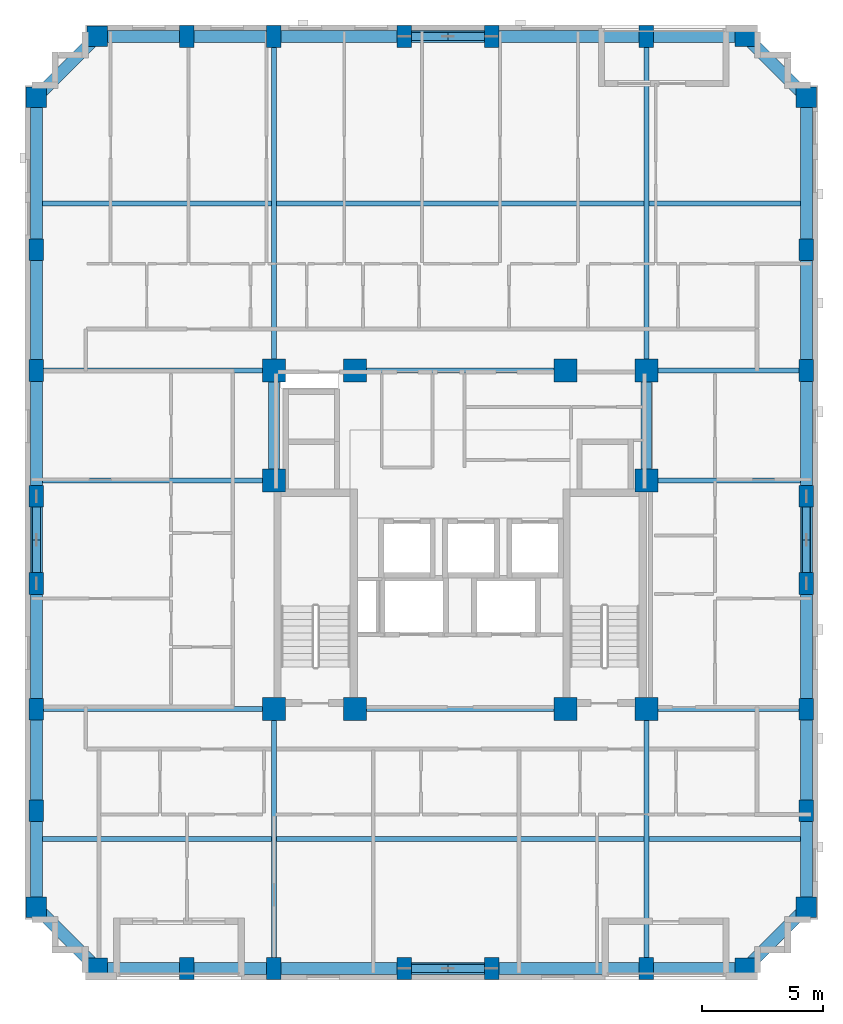
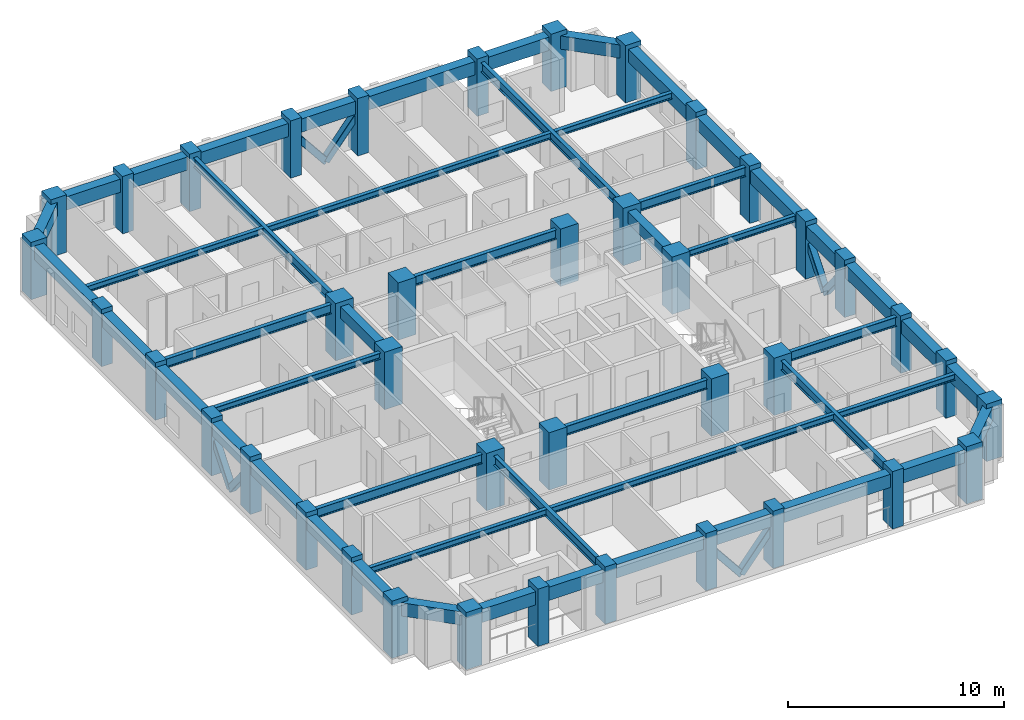
# One storey, part 1 of 11: 50 beams, 40 columns, 8 members.
"""IFC4 building model written with IfcOpenShell, lengths in metres."""

import ifcopenshell
import ifcopenshell.guid

model = None  # the IFC model being written
_history = None  # IfcOwnerHistory: only IFC2X3 demands one
_inside = {}  # id of a spatial element -> (the spatial element, [elements in it])
_under = {}  # id of a project, library or spatial element -> (it, [spatial elements below it])
_declared = {}  # id of a project -> (the project, [libraries it declares])
_typed = {}  # id of a type object -> (the type object, [elements of that type])
_made_of = {}  # id of a material, layer set ... -> (it, [elements and type objects made of it])


def new_model(schema):
    """Start an empty IFC model of exactly this schema.

    Asked for "IFC4X3", IfcOpenShell would pick the latest addendum, in which some entities
    have other attributes; the version numbers below select the first issue.
    IFC2X3 requires an IfcOwnerHistory on every rooted entity: one is made here for all.
    """
    global model, _history
    if schema == "IFC4X3":
        model = ifcopenshell.file(schema_version=(4, 3, 0, 0))
    else:
        model = ifcopenshell.file(schema=schema)
    _inside.clear()
    _under.clear()
    _declared.clear()
    _typed.clear()
    _made_of.clear()
    _history = None
    if model.schema == "IFC2X3":
        org = make("IfcOrganization", Name="unknown")
        user = make(
            "IfcPersonAndOrganization",
            ThePerson=make("IfcPerson", FamilyName="unknown"),
            TheOrganization=org,
        )
        app = make(
            "IfcApplication",
            ApplicationDeveloper=org,
            Version="unknown",
            ApplicationFullName="unknown",
            ApplicationIdentifier="unknown",
        )
        _history = make(
            "IfcOwnerHistory",
            OwningUser=user,
            OwningApplication=app,
            ChangeAction="ADDED",
            CreationDate=0,
        )
    return model


def make(cls, **values):
    """One entity of the class cls with the attributes given. An attribute that is None is left unset."""
    return model.create_entity(
        cls, **{name: value for name, value in values.items() if value is not None}
    )


def rooted(cls, **values):
    """An entity with a GlobalId (a new one), such as an element, a storey or a relation."""
    return make(cls, GlobalId=ifcopenshell.guid.new(), OwnerHistory=_history, **values)


def si_unit(unit_type, name, prefix=None):
    """IfcSIUnit, for example si_unit("LENGTHUNIT", "METRE", prefix="MILLI")."""
    return make("IfcSIUnit", UnitType=unit_type, Prefix=prefix, Name=name)


def derived_unit(unit_type, elements):
    """IfcDerivedUnit: a product of units, each with its exponent."""
    return make(
        "IfcDerivedUnit",
        Elements=[
            make("IfcDerivedUnitElement", Unit=unit, Exponent=power)
            for unit, power in elements
        ],
        UnitType=unit_type,
    )


def assignment(units):
    """IfcUnitAssignment: the units of a project."""
    return None if units is None else make("IfcUnitAssignment", Units=units)


def point(xyz):
    """IfcCartesianPoint."""
    return None if xyz is None else make("IfcCartesianPoint", Coordinates=xyz)


def direction(xyz):
    """IfcDirection."""
    return None if xyz is None else make("IfcDirection", DirectionRatios=xyz)


def frame(location, z_axis=None, x_axis=None):
    """IfcAxis2Placement3D, a coordinate frame: its origin and axes. An axis left out is left unset."""
    return make(
        "IfcAxis2Placement3D",
        Location=point(location),
        Axis=direction(z_axis),
        RefDirection=direction(x_axis),
    )


def frame_2d(location, x_axis=None):
    """IfcAxis2Placement2D, a coordinate frame in the plane: its origin and x axis."""
    return make(
        "IfcAxis2Placement2D", Location=point(location), RefDirection=direction(x_axis)
    )


def origin():
    """The frame at (0, 0, 0) with its axes left unset."""
    return frame((0.0, 0.0, 0.0))


def origin_2d():
    """The frame at (0, 0) in the plane with its x axis left unset."""
    return frame_2d((0.0, 0.0))


def place(relative_to, where):
    """IfcLocalPlacement: puts the frame where relative to a parent placement (None: the world)."""
    return make(
        "IfcLocalPlacement", PlacementRelTo=relative_to, RelativePlacement=where
    )


def context(
    kind, dimensions, precision=None, world=None, true_north=None, identifier=None
):
    """IfcGeometricRepresentationContext, for example the 3D "Model" context."""
    return make(
        "IfcGeometricRepresentationContext",
        ContextIdentifier=identifier,
        ContextType=kind,
        CoordinateSpaceDimension=dimensions,
        Precision=precision,
        WorldCoordinateSystem=world,
        TrueNorth=true_north,
    )


def subcontext(parent, identifier, kind, view, scale=None):
    """IfcGeometricRepresentationSubContext, for example "Body" below "Model"."""
    return make(
        "IfcGeometricRepresentationSubContext",
        ContextIdentifier=identifier,
        ContextType=kind,
        ParentContext=parent,
        TargetScale=scale,
        TargetView=view,
    )


def project(units=None, contexts=None):
    """IfcProject with its units and contexts."""
    return rooted(
        "IfcProject",
        Name="project",
        RepresentationContexts=contexts,
        UnitsInContext=assignment(units),
    )


def spatial(cls, under=None, at=None, **own):
    """A site, building, storey or space (cls), placed at a placement, below another one or the project."""
    s = rooted(cls, ObjectPlacement=at, **own)
    if under is not None:
        _under.setdefault(under.id(), (under, []))[1].append(s)
    return s


def profile(cls, at=None, kind="AREA", **sizes):
    """A parametric profile (cls). Its sizes go by their IFC names, for example OverallWidth=200.0."""
    return make(cls, ProfileType=kind, Position=at, **sizes)


def rectangle(**sizes):
    """IfcRectangleProfileDef."""
    return profile("IfcRectangleProfileDef", **sizes)


def hollow_rectangle(**sizes):
    """IfcRectangleHollowProfileDef."""
    return profile("IfcRectangleHollowProfileDef", **sizes)


def i_section(**sizes):
    """IfcIShapeProfileDef."""
    return profile("IfcIShapeProfileDef", **sizes)


def extrude(swept, where, along, depth):
    """IfcExtrudedAreaSolid: the profile swept, set in the frame where, extruded along a direction by depth."""
    return make(
        "IfcExtrudedAreaSolid",
        SweptArea=swept,
        Position=where,
        ExtrudedDirection=direction(along),
        Depth=depth,
    )


def shape(context_of_items, identifier, shape_type, items):
    """IfcShapeRepresentation: the items that make up one representation, for example the "Body"."""
    return make(
        "IfcShapeRepresentation",
        ContextOfItems=context_of_items,
        RepresentationIdentifier=identifier,
        RepresentationType=shape_type,
        Items=items,
    )


def material(Name=None, Category=None):
    """IfcMaterial."""
    return make("IfcMaterial", Name=Name, Category=Category)


def material_profile(
    of_material, cross_section, Name=None, Category=None, Priority=None
):
    """IfcMaterialProfile: a cross section and its material."""
    return make(
        "IfcMaterialProfile",
        Name=Name,
        Material=of_material,
        Profile=cross_section,
        Priority=Priority,
        Category=Category,
    )


def profile_set(profiles, Name=None, composite=None):
    """IfcMaterialProfileSet."""
    return make(
        "IfcMaterialProfileSet",
        Name=Name,
        MaterialProfiles=profiles,
        CompositeProfile=composite,
    )


def made_of(thing, what):
    """Note that an element or type object is made of a material, layer set ...; save() writes the relation."""
    if what is not None:
        _made_of.setdefault(what.id(), (what, []))[1].append(thing)
    return thing


def type_object(cls, material=None, **own):
    """A type object (cls), such as IfcWallType, which elements share."""
    return made_of(rooted(cls, **own), material)


def element(
    cls,
    number,
    at=None,
    inside=None,
    cuts=None,
    type_object=None,
    material=None,
    context=None,
    identifier="Body",
    shape_type=None,
    held_by="IfcProductDefinitionShape",
    body=None,
    shapes=None,
    **own,
):
    """One element of the class cls, such as IfcWall. Its Tag is "e" and its number.

    at: its placement. inside: the storey or other place that contains it. cuts: it is an
    opening in that element (IfcRelVoidsElement). A single representation is given by context,
    identifier, shape_type and body (its items); several are given by shapes. held_by: the class
    of the entity that holds the representations. save() writes the other relations.
    """
    e = rooted(cls, Tag="e%d" % number, ObjectPlacement=at, **own)
    if body is not None:
        shapes = [shape(context, identifier, shape_type, body)]
    if shapes is not None:
        e.Representation = make(held_by, Representations=shapes)
    if inside is not None:
        _inside.setdefault(inside.id(), (inside, []))[1].append(e)
    if cuts is not None:
        rooted(
            "IfcRelVoidsElement", RelatingBuildingElement=cuts, RelatedOpeningElement=e
        )
    if type_object is not None:
        _typed.setdefault(type_object.id(), (type_object, []))[1].append(e)
    return made_of(e, material)


def aggregate(whole, parts):
    """IfcRelAggregates: a whole, such as a stair, and the parts it consists of."""
    return rooted("IfcRelAggregates", RelatingObject=whole, RelatedObjects=parts)


def save(model, path):
    """Write the relations noted so far, then the file.

    IfcRelAggregates (storeys below a building ...), IfcRelContainedInSpatialStructure (elements
    in a storey), IfcRelDefinesByType, IfcRelAssociatesMaterial and IfcRelDeclares: one each for
    every whole, place, type object, material and project.
    """
    for whole, parts in _under.values():
        aggregate(whole, parts)
    for where, things in _inside.values():
        rooted(
            "IfcRelContainedInSpatialStructure",
            RelatedElements=things,
            RelatingStructure=where,
        )
    for kind, things in _typed.values():
        rooted("IfcRelDefinesByType", RelatedObjects=things, RelatingType=kind)
    for what, things in _made_of.values():
        rooted("IfcRelAssociatesMaterial", RelatedObjects=things, RelatingMaterial=what)
    for by, libraries in _declared.values():
        rooted("IfcRelDeclares", RelatingContext=by, RelatedDefinitions=libraries)
    model.write(path)


model = new_model("IFC4")

# Units and contexts
model_context = context("Model", 3, precision=1e-05, world=origin(), true_north=direction((0.0, 1.0)))
body_context = subcontext(model_context, "Body", "Model", "MODEL_VIEW")
ifc_project = project(units=[si_unit("LENGTHUNIT", "METRE"), si_unit("AREAUNIT", "SQUARE_METRE"), si_unit("VOLUMEUNIT", "CUBIC_METRE"), si_unit("PLANEANGLEUNIT", "RADIAN"), si_unit("MASSUNIT", "GRAM", prefix="KILO"), derived_unit("THERMALTRANSMITTANCEUNIT", [(si_unit("MASSUNIT", "GRAM", prefix="KILO"), 1), (si_unit("TIMEUNIT", "SECOND"), -3), (si_unit("THERMODYNAMICTEMPERATUREUNIT", "KELVIN"), -1)])], contexts=[model_context])

# Site, building, storey
site_placement = place(None, origin())
site = spatial("IfcSite", under=ifc_project, at=site_placement, CompositionType="ELEMENT")
building_placement = place(site_placement, origin())
building = spatial("IfcBuilding", under=site, at=building_placement, Name="Korrvale Station Residences", CompositionType="ELEMENT")
storey_placement = place(building_placement, frame((0.0, 0.0, 156.89990234375)))
storey = spatial("IfcBuildingStorey", under=building, at=storey_placement, Name="L45", CompositionType="ELEMENT", Elevation=156.89990234375)

# Columns
ifc_material_1 = material(Name="Concrete C60/75", Category="concrete")
ifc_material_profile_1 = material_profile(ifc_material_1, rectangle(XDim=0.60009765625, YDim=0.89990234375, at=origin_2d()), Name="RC600x900")
ifc_profile_set_1 = profile_set([ifc_material_profile_1], Name="Concrete C60/75")
column_type_1 = type_object("IfcColumnType", Name="COL-C-RC600x900-C6075", PredefinedType="COLUMN", material=ifc_profile_set_1)
for number, where, z_axis, x_axis, name in (
    (1, (14.199951171875, 4.280029296875, 0.0), (0.0, 0.0, 1.0), (1.0, 0.0, 0.0), "L45 Bundled-Tube South Column 02"),
    (2, (17.800048828125, 4.280029296875, 0.0), (0.0, 0.0, 1.0), (1.0, 0.0, 0.0), "L45 Bundled-Tube South Column 03"),
    (3, (23.199951171875, 4.280029296875, 0.0), (0.0, 0.0, 1.0), (1.0, 0.0, 0.0), "L45 Bundled-Tube South Column 04"),
    (4, (26.800048828125, 4.280029296875, 0.0), (0.0, 0.0, 1.0), (1.0, 0.0, 0.0), "L45 Bundled-Tube South Column 05"),
    (5, (33.199951171875, 4.280029296875, 0.0), (0.0, 0.0, 1.0), (1.0, 0.0, 0.0), "L45 Bundled-Tube South Column 06"),
    (6, (14.199951171875, 42.820068359375, 0.0), (0.0, 0.0, 1.0), (1.0, 0.0, 0.0), "L45 Bundled-Tube North Column 09"),
    (7, (17.800048828125, 42.820068359375, 0.0), (0.0, 0.0, 1.0), (1.0, 0.0, 0.0), "L45 Bundled-Tube North Column 10"),
    (8, (23.199951171875, 42.820068359375, 0.0), (0.0, 0.0, 1.0), (1.0, 0.0, 0.0), "L45 Bundled-Tube North Column 11"),
    (9, (26.800048828125, 42.820068359375, 0.0), (0.0, 0.0, 1.0), (1.0, 0.0, 0.0), "L45 Bundled-Tube North Column 12"),
    (10, (33.199951171875, 42.820068359375, 0.0), (0.0, 0.0, 1.0), (1.0, 0.0, 0.0), "L45 Bundled-Tube North Column 13"),
    (11, (7.97998046875, 10.800048828125, 0.0), (0.0, 0.0, 1.0), (1.0, 0.0, 0.0), "L45 Bundled-Tube West Column 16"),
    (12, (7.97998046875, 15.0, 0.0), (0.0, 0.0, 1.0), (1.0, 0.0, 0.0), "L45 Bundled-Tube West Column 17"),
    (13, (7.97998046875, 20.199951171875, 0.0), (0.0, 0.0, 1.0), (1.0, 0.0, 0.0), "L45 Bundled-Tube West Column 18"),
    (14, (7.97998046875, 23.800048828125, 0.0), (0.0, 0.0, 1.0), (1.0, 0.0, 0.0), "L45 Bundled-Tube West Column 19"),
    (15, (7.97998046875, 29.0, 0.0), (0.0, 0.0, 1.0), (1.0, 0.0, 0.0), "L45 Bundled-Tube West Column 20"),
    (16, (7.97998046875, 34.0, 0.0), (0.0, 0.0, 1.0), (1.0, 0.0, 0.0), "L45 Bundled-Tube West Column 21"),
    (17, (39.820068359375, 10.800048828125, 0.0), (0.0, 0.0, 1.0), (1.0, 0.0, 0.0), "L45 Bundled-Tube East Column 24"),
    (18, (39.820068359375, 15.0, 0.0), (0.0, 0.0, 1.0), (1.0, 0.0, 0.0), "L45 Bundled-Tube East Column 25"),
    (19, (39.820068359375, 20.199951171875, 0.0), (0.0, 0.0, 1.0), (1.0, 0.0, 0.0), "L45 Bundled-Tube East Column 26"),
    (20, (39.820068359375, 23.800048828125, 0.0), (0.0, 0.0, 1.0), (1.0, 0.0, 0.0), "L45 Bundled-Tube East Column 27"),
    (21, (39.820068359375, 29.0, 0.0), (0.0, 0.0, 1.0), (1.0, 0.0, 0.0), "L45 Bundled-Tube East Column 28"),
    (22, (39.820068359375, 34.0, 0.0), (0.0, 0.0, 1.0), (1.0, 0.0, 0.0), "L45 Bundled-Tube East Column 29"),
):
    element("IfcColumn", number, at=place(storey_placement, frame(where, z_axis=z_axis, x_axis=x_axis)), inside=storey, type_object=column_type_1, Name=name, PredefinedType="COLUMN", context=body_context, shape_type="SweptSolid", body=[
        extrude(rectangle(XDim=0.60009765625, YDim=0.89990234375, at=origin_2d()), origin(), (0.0, 0.0, 1.0), 3.25),
    ])
ifc_material_profile_2 = material_profile(ifc_material_1, rectangle(XDim=0.85009765625, YDim=0.85009765625, at=origin_2d()), Name="RC850x850")
ifc_profile_set_2 = profile_set([ifc_material_profile_2], Name="Concrete C60/75")
column_type_2 = type_object("IfcColumnType", Name="COL-C-RC850x850-C6075", PredefinedType="COLUMN", material=ifc_profile_set_2)
for number, where, z_axis, x_axis, name in (
    (23, (10.5, 4.280029296875, 0.0), (0.0, 0.0, 1.0), (1.0, 0.0, 0.0), "L45 Bundled-Tube South Column 01"),
    (24, (37.300048828125, 4.280029296875, 0.0), (0.0, 0.0, 1.0), (1.0, 0.0, 0.0), "L45 Bundled-Tube South Column 07"),
    (25, (10.5, 42.820068359375, 0.0), (0.0, 0.0, 1.0), (1.0, 0.0, 0.0), "L45 Bundled-Tube North Column 08"),
    (26, (37.300048828125, 42.820068359375, 0.0), (0.0, 0.0, 1.0), (1.0, 0.0, 0.0), "L45 Bundled-Tube North Column 14"),
    (27, (7.97998046875, 6.800048828125, 0.0), (0.0, 0.0, 1.0), (1.0, 0.0, 0.0), "L45 Bundled-Tube West Column 15"),
    (28, (7.97998046875, 40.300048828125, 0.0), (0.0, 0.0, 1.0), (1.0, 0.0, 0.0), "L45 Bundled-Tube West Column 22"),
    (29, (39.820068359375, 6.800048828125, 0.0), (0.0, 0.0, 1.0), (1.0, 0.0, 0.0), "L45 Bundled-Tube East Column 23"),
    (30, (39.820068359375, 40.300048828125, 0.0), (0.0, 0.0, 1.0), (1.0, 0.0, 0.0), "L45 Bundled-Tube East Column 30"),
):
    element("IfcColumn", number, at=place(storey_placement, frame(where, z_axis=z_axis, x_axis=x_axis)), inside=storey, type_object=column_type_2, Name=name, PredefinedType="COLUMN", context=body_context, shape_type="SweptSolid", body=[
        extrude(rectangle(XDim=0.85009765625, YDim=0.85009765625, at=origin_2d()), origin(), (0.0, 0.0, 1.0), 3.25),
    ])
ifc_material_profile_3 = material_profile(ifc_material_1, rectangle(XDim=0.949951171875, YDim=0.949951171875, at=origin_2d()), Name="RC950x950")
ifc_profile_set_3 = profile_set([ifc_material_profile_3], Name="Concrete C60/75")
column_type_3 = type_object("IfcColumnType", Name="COL-C-RC950x950-C6075", PredefinedType="COLUMN", material=ifc_profile_set_3)
for number, where, z_axis, x_axis, name in (
    (31, (17.800048828125, 15.0, 0.0), (0.0, 0.0, 1.0), (1.0, 0.0, 0.0), "L45 Core Column 01"),
    (32, (21.14990234375, 15.0, 0.0), (0.0, 0.0, 1.0), (1.0, 0.0, 0.0), "L45 Core Column 02"),
    (33, (29.85009765625, 15.0, 0.0), (0.0, 0.0, 1.0), (1.0, 0.0, 0.0), "L45 Core Column 03"),
    (34, (33.199951171875, 15.0, 0.0), (0.0, 0.0, 1.0), (1.0, 0.0, 0.0), "L45 Core Column 04"),
    (35, (17.800048828125, 29.0, 0.0), (0.0, 0.0, 1.0), (1.0, 0.0, 0.0), "L45 Core Column 05"),
    (36, (21.14990234375, 29.0, 0.0), (0.0, 0.0, 1.0), (1.0, 0.0, 0.0), "L45 Core Column 06"),
    (37, (29.85009765625, 29.0, 0.0), (0.0, 0.0, 1.0), (1.0, 0.0, 0.0), "L45 Core Column 07"),
    (38, (33.199951171875, 29.0, 0.0), (0.0, 0.0, 1.0), (1.0, 0.0, 0.0), "L45 Core Column 08"),
    (39, (17.800048828125, 24.449951171875, 0.0), (0.0, 0.0, 1.0), (1.0, 0.0, 0.0), "L45 Core Column 09"),
    (40, (33.199951171875, 24.449951171875, 0.0), (0.0, 0.0, 1.0), (1.0, 0.0, 0.0), "L45 Core Column 10"),
):
    element("IfcColumn", number, at=place(storey_placement, frame(where, z_axis=z_axis, x_axis=x_axis)), inside=storey, type_object=column_type_3, Name=name, PredefinedType="COLUMN", context=body_context, shape_type="SweptSolid", body=[
        extrude(rectangle(XDim=0.949951171875, YDim=0.949951171875, at=origin_2d()), origin(), (0.0, 0.0, 1.0), 3.25),
    ])

# Beams
ifc_material_2 = material(Name="Steel S355", Category="steel")
ifc_material_profile_4 = material_profile(ifc_material_2, i_section(OverallWidth=0.208984375, OverallDepth=0.532958984375, WebThickness=0.01025390625, FlangeThickness=0.015625, FilletRadius=0.01806640625, at=origin_2d()), Name="W530x92")
ifc_profile_set_4 = profile_set([ifc_material_profile_4], Name="Steel S355")
beam_type_1 = type_object("IfcBeamType", Name="BM-BM-W530x92-S355", PredefinedType="BEAM", material=ifc_profile_set_4)
for number, where, z_axis, x_axis, name in (
    (41, (17.800048828125, 4.280029296875, 2.7236328125), (0.0, 1.0, 0.0), (-1.0, 0.0, 0.0), "L45 Bundled-Tube Web Girder 01"),
    (42, (33.199951171875, 4.280029296875, 2.7236328125), (0.0, 1.0, 0.0), (-1.0, 0.0, 0.0), "L45 Bundled-Tube Web Girder 02"),
):
    element("IfcBeam", number, at=place(storey_placement, frame(where, z_axis=z_axis, x_axis=x_axis)), inside=storey, type_object=beam_type_1, Name=name, PredefinedType="BEAM", context=body_context, shape_type="SweptSolid", body=[
        extrude(i_section(OverallWidth=0.208984375, OverallDepth=0.532958984375, WebThickness=0.01025390625, FlangeThickness=0.015625, FilletRadius=0.01806640625, at=origin_2d()), origin(), (0.0, 0.0, 1.0), 10.719970703125),
    ])
for number, where, z_axis, x_axis, name in (
    (43, (17.800048828125, 29.0, 2.7236328125), (0.0, 1.0, 0.0), (-1.0, 0.0, 0.0), "L45 Bundled-Tube Web Girder 03"),
    (44, (33.199951171875, 29.0, 2.7236328125), (0.0, 1.0, 0.0), (-1.0, 0.0, 0.0), "L45 Bundled-Tube Web Girder 04"),
):
    element("IfcBeam", number, at=place(storey_placement, frame(where, z_axis=z_axis, x_axis=x_axis)), inside=storey, type_object=beam_type_1, Name=name, PredefinedType="BEAM", context=body_context, shape_type="SweptSolid", body=[
        extrude(i_section(OverallWidth=0.208984375, OverallDepth=0.532958984375, WebThickness=0.01025390625, FlangeThickness=0.015625, FilletRadius=0.01806640625, at=origin_2d()), origin(), (0.0, 0.0, 1.0), 13.820068359375),
    ])
beam_1_placement = place(storey_placement, frame((7.97998046875, 15.0, 2.7236328125), z_axis=(1.0, 0.0, 0.0), x_axis=(0.0, 1.0, 0.0)))
element("IfcBeam", 45, at=beam_1_placement, inside=storey, type_object=beam_type_1, Name="L45 Bundled-Tube Web Girder 05", PredefinedType="BEAM", context=body_context, shape_type="SweptSolid", body=[
    extrude(i_section(OverallWidth=0.208984375, OverallDepth=0.532958984375, WebThickness=0.01025390625, FlangeThickness=0.015625, FilletRadius=0.01806640625, at=origin_2d()), origin(), (0.0, 0.0, 1.0), 9.820068359375),
])
beam_2_placement = place(storey_placement, frame((33.199951171875, 15.0, 2.7236328125), z_axis=(1.0, 0.0, 0.0), x_axis=(0.0, 1.0, 0.0)))
element("IfcBeam", 46, at=beam_2_placement, inside=storey, type_object=beam_type_1, Name="L45 Bundled-Tube Web Girder 06", PredefinedType="BEAM", context=body_context, shape_type="SweptSolid", body=[
    extrude(i_section(OverallWidth=0.208984375, OverallDepth=0.532958984375, WebThickness=0.01025390625, FlangeThickness=0.015625, FilletRadius=0.01806640625, at=origin_2d()), origin(), (0.0, 0.0, 1.0), 6.6201171875),
])
beam_3_placement = place(storey_placement, frame((7.97998046875, 29.0, 2.7236328125), z_axis=(1.0, 0.0, 0.0), x_axis=(0.0, 1.0, 0.0)))
element("IfcBeam", 47, at=beam_3_placement, inside=storey, type_object=beam_type_1, Name="L45 Bundled-Tube Web Girder 07", PredefinedType="BEAM", context=body_context, shape_type="SweptSolid", body=[
    extrude(i_section(OverallWidth=0.208984375, OverallDepth=0.532958984375, WebThickness=0.01025390625, FlangeThickness=0.015625, FilletRadius=0.01806640625, at=origin_2d()), origin(), (0.0, 0.0, 1.0), 9.820068359375),
])
beam_4_placement = place(storey_placement, frame((33.199951171875, 29.0, 2.7236328125), z_axis=(1.0, 0.0, 0.0), x_axis=(0.0, 1.0, 0.0)))
element("IfcBeam", 48, at=beam_4_placement, inside=storey, type_object=beam_type_1, Name="L45 Bundled-Tube Web Girder 08", PredefinedType="BEAM", context=body_context, shape_type="SweptSolid", body=[
    extrude(i_section(OverallWidth=0.208984375, OverallDepth=0.532958984375, WebThickness=0.01025390625, FlangeThickness=0.015625, FilletRadius=0.01806640625, at=origin_2d()), origin(), (0.0, 0.0, 1.0), 6.6201171875),
])
for number, where, z_axis, x_axis, name in (
    (49, (21.14990234375, 15.0, 2.7236328125), (1.0, 0.0, 0.0), (0.0, 1.0, 0.0), "L45 Bundled-Tube Web Girder 09"),
    (50, (21.14990234375, 29.0, 2.7236328125), (1.0, 0.0, 0.0), (0.0, 1.0, 0.0), "L45 Bundled-Tube Web Girder 10"),
):
    element("IfcBeam", number, at=place(storey_placement, frame(where, z_axis=z_axis, x_axis=x_axis)), inside=storey, type_object=beam_type_1, Name=name, PredefinedType="BEAM", context=body_context, shape_type="SweptSolid", body=[
        extrude(i_section(OverallWidth=0.208984375, OverallDepth=0.532958984375, WebThickness=0.01025390625, FlangeThickness=0.015625, FilletRadius=0.01806640625, at=origin_2d()), origin(), (0.0, 0.0, 1.0), 8.7001953125),
    ])
ifc_material_profile_5 = material_profile(ifc_material_2, i_section(OverallWidth=0.205078125, OverallDepth=0.35400390625, WebThickness=0.009521484375, FlangeThickness=0.016845703125, FilletRadius=0.014892578125, at=origin_2d()), Name="W360x79")
ifc_profile_set_5 = profile_set([ifc_material_profile_5], Name="Steel S355")
beam_type_2 = type_object("IfcBeamType", Name="BM-JST-W360x79-S355", PredefinedType="JOIST", material=ifc_profile_set_5)
beam_5_placement = place(storey_placement, frame((8.22998046875, 9.639892578125, 2.81298828125), z_axis=(1.0, 0.0, 0.0), x_axis=(0.0, 1.0, 0.0)))
element("IfcBeam", 51, at=beam_5_placement, inside=storey, type_object=beam_type_2, Name="L45 Floor Framing Joist 01", PredefinedType="JOIST", context=body_context, shape_type="SweptSolid", body=[
    extrude(i_section(OverallWidth=0.205078125, OverallDepth=0.35400390625, WebThickness=0.009521484375, FlangeThickness=0.016845703125, FilletRadius=0.014892578125, at=origin_2d()), origin(), (0.0, 0.0, 1.0), 9.465576171875),
])
beam_6_placement = place(storey_placement, frame((17.904541015625, 9.639892578125, 2.81298828125), z_axis=(1.0, 0.0, 0.0), x_axis=(0.0, 1.0, 0.0)))
element("IfcBeam", 52, at=beam_6_placement, inside=storey, type_object=beam_type_2, Name="L45 Floor Framing Joist 02", PredefinedType="JOIST", context=body_context, shape_type="SweptSolid", body=[
    extrude(i_section(OverallWidth=0.205078125, OverallDepth=0.35400390625, WebThickness=0.009521484375, FlangeThickness=0.016845703125, FilletRadius=0.014892578125, at=origin_2d()), origin(), (0.0, 0.0, 1.0), 15.19091796875),
])
beam_7_placement = place(storey_placement, frame((33.304443359375, 9.639892578125, 2.81298828125), z_axis=(1.0, 0.0, 0.0), x_axis=(0.0, 1.0, 0.0)))
element("IfcBeam", 53, at=beam_7_placement, inside=storey, type_object=beam_type_2, Name="L45 Floor Framing Joist 03", PredefinedType="JOIST", context=body_context, shape_type="SweptSolid", body=[
    extrude(i_section(OverallWidth=0.205078125, OverallDepth=0.35400390625, WebThickness=0.009521484375, FlangeThickness=0.016845703125, FilletRadius=0.014892578125, at=origin_2d()), origin(), (0.0, 0.0, 1.0), 6.265625),
])
beam_8_placement = place(storey_placement, frame((8.22998046875, 35.909912109375, 2.81298828125), z_axis=(1.0, 0.0, 0.0), x_axis=(0.0, 1.0, 0.0)))
element("IfcBeam", 54, at=beam_8_placement, inside=storey, type_object=beam_type_2, Name="L45 Floor Framing Joist 04", PredefinedType="JOIST", context=body_context, shape_type="SweptSolid", body=[
    extrude(i_section(OverallWidth=0.205078125, OverallDepth=0.35400390625, WebThickness=0.009521484375, FlangeThickness=0.016845703125, FilletRadius=0.014892578125, at=origin_2d()), origin(), (0.0, 0.0, 1.0), 9.465576171875),
])
beam_9_placement = place(storey_placement, frame((17.904541015625, 35.909912109375, 2.81298828125), z_axis=(1.0, 0.0, 0.0), x_axis=(0.0, 1.0, 0.0)))
element("IfcBeam", 55, at=beam_9_placement, inside=storey, type_object=beam_type_2, Name="L45 Floor Framing Joist 05", PredefinedType="JOIST", context=body_context, shape_type="SweptSolid", body=[
    extrude(i_section(OverallWidth=0.205078125, OverallDepth=0.35400390625, WebThickness=0.009521484375, FlangeThickness=0.016845703125, FilletRadius=0.014892578125, at=origin_2d()), origin(), (0.0, 0.0, 1.0), 15.19091796875),
])
beam_10_placement = place(storey_placement, frame((33.304443359375, 35.909912109375, 2.81298828125), z_axis=(1.0, 0.0, 0.0), x_axis=(0.0, 1.0, 0.0)))
element("IfcBeam", 56, at=beam_10_placement, inside=storey, type_object=beam_type_2, Name="L45 Floor Framing Joist 06", PredefinedType="JOIST", context=body_context, shape_type="SweptSolid", body=[
    extrude(i_section(OverallWidth=0.205078125, OverallDepth=0.35400390625, WebThickness=0.009521484375, FlangeThickness=0.016845703125, FilletRadius=0.014892578125, at=origin_2d()), origin(), (0.0, 0.0, 1.0), 6.265625),
])
beam_11_placement = place(storey_placement, frame((33.425048828125, 24.449951171875, 2.81298828125), z_axis=(1.0, 0.0, 0.0), x_axis=(0.0, 1.0, 0.0)))
element("IfcBeam", 57, at=beam_11_placement, inside=storey, type_object=beam_type_2, Name="L45 Floor Framing Joist 07", PredefinedType="JOIST", context=body_context, shape_type="SweptSolid", body=[
    extrude(i_section(OverallWidth=0.205078125, OverallDepth=0.35400390625, WebThickness=0.009521484375, FlangeThickness=0.016845703125, FilletRadius=0.014892578125, at=origin_2d()), origin(), (0.0, 0.0, 1.0), 6.14501953125),
])
beam_12_placement = place(storey_placement, frame((8.22998046875, 24.449951171875, 2.81298828125), z_axis=(1.0, 0.0, 0.0), x_axis=(0.0, 1.0, 0.0)))
element("IfcBeam", 58, at=beam_12_placement, inside=storey, type_object=beam_type_2, Name="L45 Floor Framing Joist 08", PredefinedType="JOIST", context=body_context, shape_type="SweptSolid", body=[
    extrude(i_section(OverallWidth=0.205078125, OverallDepth=0.35400390625, WebThickness=0.009521484375, FlangeThickness=0.016845703125, FilletRadius=0.014892578125, at=origin_2d()), origin(), (0.0, 0.0, 1.0), 9.344970703125),
])
ifc_material_profile_6 = material_profile(ifc_material_1, rectangle(XDim=0.449951171875, YDim=0.64990234375, at=origin_2d()), Name="RCB450x650")
ifc_profile_set_6 = profile_set([ifc_material_profile_6], Name="Concrete C60/75")
beam_type_3 = type_object("IfcBeamType", Name="BM-LNT-RCB450x650-C6075", PredefinedType="LINTEL", material=ifc_profile_set_6)
for number, where, z_axis, x_axis, name in (
    (59, (17.800048828125, 24.449951171875, 2.6650390625), (0.0, 1.0, 0.0), (-1.0, 0.0, 0.0), "L45 Core Coupling Lintel 1"),
    (60, (33.199951171875, 24.449951171875, 2.6650390625), (0.0, 1.0, 0.0), (-1.0, 0.0, 0.0), "L45 Core Coupling Lintel 2"),
):
    element("IfcBeam", number, at=place(storey_placement, frame(where, z_axis=z_axis, x_axis=x_axis)), inside=storey, type_object=beam_type_3, Name=name, PredefinedType="LINTEL", context=body_context, shape_type="SweptSolid", body=[
        extrude(rectangle(XDim=0.449951171875, YDim=0.64990234375, at=origin_2d()), origin(), (0.0, 0.0, 1.0), 4.550048828125),
    ])
ifc_material_profile_7 = material_profile(ifc_material_1, rectangle(XDim=0.5, YDim=0.75, at=origin_2d()), Name="RCB500x750")
ifc_profile_set_7 = profile_set([ifc_material_profile_7], Name="Concrete C60/75")
beam_type_4 = type_object("IfcBeamType", Name="BM-SPB-RCB500x750-C6075", PredefinedType="SPANDREL", material=ifc_profile_set_7)
beam_13_placement = place(storey_placement, frame((10.5, 4.280029296875, 2.614990234375), z_axis=(1.0, 0.0, 0.0), x_axis=(0.0, 1.0, 0.0)))
element("IfcBeam", 61, at=beam_13_placement, inside=storey, type_object=beam_type_4, Name="L45 South Tube Spandrel 01", PredefinedType="SPANDREL", context=body_context, shape_type="SweptSolid", body=[
    extrude(rectangle(XDim=0.5, YDim=0.75, at=origin_2d()), origin(), (0.0, 0.0, 1.0), 3.699951171875),
])
beam_14_placement = place(storey_placement, frame((14.199951171875, 4.280029296875, 2.614990234375), z_axis=(1.0, 0.0, 0.0), x_axis=(0.0, 1.0, 0.0)))
element("IfcBeam", 62, at=beam_14_placement, inside=storey, type_object=beam_type_4, Name="L45 South Tube Spandrel 02", PredefinedType="SPANDREL", context=body_context, shape_type="SweptSolid", body=[
    extrude(rectangle(XDim=0.5, YDim=0.75, at=origin_2d()), origin(), (0.0, 0.0, 1.0), 3.60009765625),
])
beam_15_placement = place(storey_placement, frame((17.800048828125, 4.280029296875, 2.614990234375), z_axis=(1.0, 0.0, 0.0), x_axis=(0.0, 1.0, 0.0)))
element("IfcBeam", 63, at=beam_15_placement, inside=storey, type_object=beam_type_4, Name="L45 South Tube Spandrel 03", PredefinedType="SPANDREL", context=body_context, shape_type="SweptSolid", body=[
    extrude(rectangle(XDim=0.5, YDim=0.75, at=origin_2d()), origin(), (0.0, 0.0, 1.0), 5.39990234375),
])
beam_16_placement = place(storey_placement, frame((23.199951171875, 4.280029296875, 2.614990234375), z_axis=(1.0, 0.0, 0.0), x_axis=(0.0, 1.0, 0.0)))
element("IfcBeam", 64, at=beam_16_placement, inside=storey, type_object=beam_type_4, Name="L45 South Tube Spandrel 04", PredefinedType="SPANDREL", context=body_context, shape_type="SweptSolid", body=[
    extrude(rectangle(XDim=0.5, YDim=0.75, at=origin_2d()), origin(), (0.0, 0.0, 1.0), 3.60009765625),
])
beam_17_placement = place(storey_placement, frame((26.800048828125, 4.280029296875, 2.614990234375), z_axis=(1.0, 0.0, 0.0), x_axis=(0.0, 1.0, 0.0)))
element("IfcBeam", 65, at=beam_17_placement, inside=storey, type_object=beam_type_4, Name="L45 South Tube Spandrel 05", PredefinedType="SPANDREL", context=body_context, shape_type="SweptSolid", body=[
    extrude(rectangle(XDim=0.5, YDim=0.75, at=origin_2d()), origin(), (0.0, 0.0, 1.0), 6.39990234375),
])
beam_18_placement = place(storey_placement, frame((33.199951171875, 4.280029296875, 2.614990234375), z_axis=(1.0, 0.0, 0.0), x_axis=(0.0, 1.0, 0.0)))
element("IfcBeam", 66, at=beam_18_placement, inside=storey, type_object=beam_type_4, Name="L45 South Tube Spandrel 06", PredefinedType="SPANDREL", context=body_context, shape_type="SweptSolid", body=[
    extrude(rectangle(XDim=0.5, YDim=0.75, at=origin_2d()), origin(), (0.0, 0.0, 1.0), 4.10009765625),
])
beam_19_placement = place(storey_placement, frame((10.5, 42.820068359375, 2.614990234375), z_axis=(1.0, 0.0, 0.0), x_axis=(0.0, 1.0, 0.0)))
element("IfcBeam", 67, at=beam_19_placement, inside=storey, type_object=beam_type_4, Name="L45 North Tube Spandrel 07", PredefinedType="SPANDREL", context=body_context, shape_type="SweptSolid", body=[
    extrude(rectangle(XDim=0.5, YDim=0.75, at=origin_2d()), origin(), (0.0, 0.0, 1.0), 3.699951171875),
])
beam_20_placement = place(storey_placement, frame((14.199951171875, 42.820068359375, 2.614990234375), z_axis=(1.0, 0.0, 0.0), x_axis=(0.0, 1.0, 0.0)))
element("IfcBeam", 68, at=beam_20_placement, inside=storey, type_object=beam_type_4, Name="L45 North Tube Spandrel 08", PredefinedType="SPANDREL", context=body_context, shape_type="SweptSolid", body=[
    extrude(rectangle(XDim=0.5, YDim=0.75, at=origin_2d()), origin(), (0.0, 0.0, 1.0), 3.60009765625),
])
beam_21_placement = place(storey_placement, frame((17.800048828125, 42.820068359375, 2.614990234375), z_axis=(1.0, 0.0, 0.0), x_axis=(0.0, 1.0, 0.0)))
element("IfcBeam", 69, at=beam_21_placement, inside=storey, type_object=beam_type_4, Name="L45 North Tube Spandrel 09", PredefinedType="SPANDREL", context=body_context, shape_type="SweptSolid", body=[
    extrude(rectangle(XDim=0.5, YDim=0.75, at=origin_2d()), origin(), (0.0, 0.0, 1.0), 5.39990234375),
])
beam_22_placement = place(storey_placement, frame((23.199951171875, 42.820068359375, 2.614990234375), z_axis=(1.0, 0.0, 0.0), x_axis=(0.0, 1.0, 0.0)))
element("IfcBeam", 70, at=beam_22_placement, inside=storey, type_object=beam_type_4, Name="L45 North Tube Spandrel 10", PredefinedType="SPANDREL", context=body_context, shape_type="SweptSolid", body=[
    extrude(rectangle(XDim=0.5, YDim=0.75, at=origin_2d()), origin(), (0.0, 0.0, 1.0), 3.60009765625),
])
beam_23_placement = place(storey_placement, frame((26.800048828125, 42.820068359375, 2.614990234375), z_axis=(1.0, 0.0, 0.0), x_axis=(0.0, 1.0, 0.0)))
element("IfcBeam", 71, at=beam_23_placement, inside=storey, type_object=beam_type_4, Name="L45 North Tube Spandrel 11", PredefinedType="SPANDREL", context=body_context, shape_type="SweptSolid", body=[
    extrude(rectangle(XDim=0.5, YDim=0.75, at=origin_2d()), origin(), (0.0, 0.0, 1.0), 6.39990234375),
])
beam_24_placement = place(storey_placement, frame((33.199951171875, 42.820068359375, 2.614990234375), z_axis=(1.0, 0.0, 0.0), x_axis=(0.0, 1.0, 0.0)))
element("IfcBeam", 72, at=beam_24_placement, inside=storey, type_object=beam_type_4, Name="L45 North Tube Spandrel 12", PredefinedType="SPANDREL", context=body_context, shape_type="SweptSolid", body=[
    extrude(rectangle(XDim=0.5, YDim=0.75, at=origin_2d()), origin(), (0.0, 0.0, 1.0), 4.10009765625),
])
beam_25_placement = place(storey_placement, frame((7.97998046875, 6.800048828125, 2.614990234375), z_axis=(0.0, 1.0, 0.0), x_axis=(-1.0, 0.0, 0.0)))
element("IfcBeam", 73, at=beam_25_placement, inside=storey, type_object=beam_type_4, Name="L45 West Tube Spandrel 13", PredefinedType="SPANDREL", context=body_context, shape_type="SweptSolid", body=[
    extrude(rectangle(XDim=0.5, YDim=0.75, at=origin_2d()), origin(), (0.0, 0.0, 1.0), 4.0),
])
beam_26_placement = place(storey_placement, frame((7.97998046875, 10.800048828125, 2.614990234375), z_axis=(0.0, 1.0, 0.0), x_axis=(-1.0, 0.0, 0.0)))
element("IfcBeam", 74, at=beam_26_placement, inside=storey, type_object=beam_type_4, Name="L45 West Tube Spandrel 14", PredefinedType="SPANDREL", context=body_context, shape_type="SweptSolid", body=[
    extrude(rectangle(XDim=0.5, YDim=0.75, at=origin_2d()), origin(), (0.0, 0.0, 1.0), 4.199951171875),
])
beam_27_placement = place(storey_placement, frame((7.97998046875, 15.0, 2.614990234375), z_axis=(0.0, 1.0, 0.0), x_axis=(-1.0, 0.0, 0.0)))
element("IfcBeam", 75, at=beam_27_placement, inside=storey, type_object=beam_type_4, Name="L45 West Tube Spandrel 15", PredefinedType="SPANDREL", context=body_context, shape_type="SweptSolid", body=[
    extrude(rectangle(XDim=0.5, YDim=0.75, at=origin_2d()), origin(), (0.0, 0.0, 1.0), 5.199951171875),
])
beam_28_placement = place(storey_placement, frame((7.97998046875, 20.199951171875, 2.614990234375), z_axis=(0.0, 1.0, 0.0), x_axis=(-1.0, 0.0, 0.0)))
element("IfcBeam", 76, at=beam_28_placement, inside=storey, type_object=beam_type_4, Name="L45 West Tube Spandrel 16", PredefinedType="SPANDREL", context=body_context, shape_type="SweptSolid", body=[
    extrude(rectangle(XDim=0.5, YDim=0.75, at=origin_2d()), origin(), (0.0, 0.0, 1.0), 3.60009765625),
])
beam_29_placement = place(storey_placement, frame((7.97998046875, 23.800048828125, 2.614990234375), z_axis=(0.0, 1.0, 0.0), x_axis=(-1.0, 0.0, 0.0)))
element("IfcBeam", 77, at=beam_29_placement, inside=storey, type_object=beam_type_4, Name="L45 West Tube Spandrel 17", PredefinedType="SPANDREL", context=body_context, shape_type="SweptSolid", body=[
    extrude(rectangle(XDim=0.5, YDim=0.75, at=origin_2d()), origin(), (0.0, 0.0, 1.0), 5.199951171875),
])
beam_30_placement = place(storey_placement, frame((7.97998046875, 29.0, 2.614990234375), z_axis=(0.0, 1.0, 0.0), x_axis=(-1.0, 0.0, 0.0)))
element("IfcBeam", 78, at=beam_30_placement, inside=storey, type_object=beam_type_4, Name="L45 West Tube Spandrel 18", PredefinedType="SPANDREL", context=body_context, shape_type="SweptSolid", body=[
    extrude(rectangle(XDim=0.5, YDim=0.75, at=origin_2d()), origin(), (0.0, 0.0, 1.0), 5.0),
])
beam_31_placement = place(storey_placement, frame((7.97998046875, 34.0, 2.614990234375), z_axis=(0.0, 1.0, 0.0), x_axis=(-1.0, 0.0, 0.0)))
element("IfcBeam", 79, at=beam_31_placement, inside=storey, type_object=beam_type_4, Name="L45 West Tube Spandrel 19", PredefinedType="SPANDREL", context=body_context, shape_type="SweptSolid", body=[
    extrude(rectangle(XDim=0.5, YDim=0.75, at=origin_2d()), origin(), (0.0, 0.0, 1.0), 6.300048828125),
])
beam_32_placement = place(storey_placement, frame((39.820068359375, 6.800048828125, 2.614990234375), z_axis=(0.0, 1.0, 0.0), x_axis=(-1.0, 0.0, 0.0)))
element("IfcBeam", 80, at=beam_32_placement, inside=storey, type_object=beam_type_4, Name="L45 East Tube Spandrel 20", PredefinedType="SPANDREL", context=body_context, shape_type="SweptSolid", body=[
    extrude(rectangle(XDim=0.5, YDim=0.75, at=origin_2d()), origin(), (0.0, 0.0, 1.0), 4.0),
])
beam_33_placement = place(storey_placement, frame((39.820068359375, 10.800048828125, 2.614990234375), z_axis=(0.0, 1.0, 0.0), x_axis=(-1.0, 0.0, 0.0)))
element("IfcBeam", 81, at=beam_33_placement, inside=storey, type_object=beam_type_4, Name="L45 East Tube Spandrel 21", PredefinedType="SPANDREL", context=body_context, shape_type="SweptSolid", body=[
    extrude(rectangle(XDim=0.5, YDim=0.75, at=origin_2d()), origin(), (0.0, 0.0, 1.0), 4.199951171875),
])
beam_34_placement = place(storey_placement, frame((39.820068359375, 15.0, 2.614990234375), z_axis=(0.0, 1.0, 0.0), x_axis=(-1.0, 0.0, 0.0)))
element("IfcBeam", 82, at=beam_34_placement, inside=storey, type_object=beam_type_4, Name="L45 East Tube Spandrel 22", PredefinedType="SPANDREL", context=body_context, shape_type="SweptSolid", body=[
    extrude(rectangle(XDim=0.5, YDim=0.75, at=origin_2d()), origin(), (0.0, 0.0, 1.0), 5.199951171875),
])
beam_35_placement = place(storey_placement, frame((39.820068359375, 20.199951171875, 2.614990234375), z_axis=(0.0, 1.0, 0.0), x_axis=(-1.0, 0.0, 0.0)))
element("IfcBeam", 83, at=beam_35_placement, inside=storey, type_object=beam_type_4, Name="L45 East Tube Spandrel 23", PredefinedType="SPANDREL", context=body_context, shape_type="SweptSolid", body=[
    extrude(rectangle(XDim=0.5, YDim=0.75, at=origin_2d()), origin(), (0.0, 0.0, 1.0), 3.60009765625),
])
beam_36_placement = place(storey_placement, frame((39.820068359375, 23.800048828125, 2.614990234375), z_axis=(0.0, 1.0, 0.0), x_axis=(-1.0, 0.0, 0.0)))
element("IfcBeam", 84, at=beam_36_placement, inside=storey, type_object=beam_type_4, Name="L45 East Tube Spandrel 24", PredefinedType="SPANDREL", context=body_context, shape_type="SweptSolid", body=[
    extrude(rectangle(XDim=0.5, YDim=0.75, at=origin_2d()), origin(), (0.0, 0.0, 1.0), 5.199951171875),
])
beam_37_placement = place(storey_placement, frame((39.820068359375, 29.0, 2.614990234375), z_axis=(0.0, 1.0, 0.0), x_axis=(-1.0, 0.0, 0.0)))
element("IfcBeam", 85, at=beam_37_placement, inside=storey, type_object=beam_type_4, Name="L45 East Tube Spandrel 25", PredefinedType="SPANDREL", context=body_context, shape_type="SweptSolid", body=[
    extrude(rectangle(XDim=0.5, YDim=0.75, at=origin_2d()), origin(), (0.0, 0.0, 1.0), 5.0),
])
beam_38_placement = place(storey_placement, frame((39.820068359375, 34.0, 2.614990234375), z_axis=(0.0, 1.0, 0.0), x_axis=(-1.0, 0.0, 0.0)))
element("IfcBeam", 86, at=beam_38_placement, inside=storey, type_object=beam_type_4, Name="L45 East Tube Spandrel 26", PredefinedType="SPANDREL", context=body_context, shape_type="SweptSolid", body=[
    extrude(rectangle(XDim=0.5, YDim=0.75, at=origin_2d()), origin(), (0.0, 0.0, 1.0), 6.300048828125),
])
for number, where, z_axis, x_axis, name in (
    (87, (10.5, 4.280029296875, 2.614990234375), (-0.707106781187, 0.707106781187, 0.0), (-0.707106781187, -0.707106781187, 0.0), "L45 Serrated Corner Spandrel 27"),
    (88, (37.300048828125, 4.280029296875, 2.614990234375), (0.707106781187, 0.707106781187, 0.0), (-0.707106781187, 0.707106781187, 0.0), "L45 Serrated Corner Spandrel 28"),
    (89, (37.300048828125, 42.820068359375, 2.614990234375), (0.707106781187, -0.707106781187, 0.0), (0.707106781187, 0.707106781187, 0.0), "L45 Serrated Corner Spandrel 29"),
    (90, (10.5, 42.820068359375, 2.614990234375), (-0.707106781187, -0.707106781187, 0.0), (0.707106781187, -0.707106781187, 0.0), "L45 Serrated Corner Spandrel 30"),
):
    element("IfcBeam", number, at=place(storey_placement, frame(where, z_axis=z_axis, x_axis=x_axis)), inside=storey, type_object=beam_type_4, Name=name, PredefinedType="SPANDREL", context=body_context, shape_type="SweptSolid", body=[
        extrude(rectangle(XDim=0.5, YDim=0.75, at=origin_2d()), origin(), (0.0, 0.0, 1.0), 3.56396484375),
    ])

# Members
ifc_material_profile_8 = material_profile(ifc_material_2, hollow_rectangle(XDim=0.355712890625, YDim=0.355712890625, WallThickness=0.015869140625, InnerFilletRadius=0.015869140625, OuterFilletRadius=0.03173828125, at=origin_2d()), Name="HSS356x356x16")
ifc_profile_set_8 = profile_set([ifc_material_profile_8], Name="Steel S355")
member_type = type_object("IfcMemberType", Name="MBR-BR-HSS356x356x16", PredefinedType="BRACE", material=ifc_profile_set_8)
for number, where, z_axis, x_axis, name in (
    (91, (25.0, 4.280029296875, 0.02001953125), (-0.62640309239, 0.0, 0.779499304582), (0.0, -1.0, 0.0), "L45 S Perimeter Tube Wind Brace 1"),
    (92, (25.0, 4.280029296875, 0.02001953125), (0.62640309239, 0.0, 0.779499304582), (0.0, 1.0, 0.0), "L45 S Perimeter Tube Wind Brace 2"),
    (93, (25.0, 42.820068359375, 0.02001953125), (-0.62640309239, 0.0, 0.779499304582), (0.0, -1.0, 0.0), "L45 N Perimeter Tube Wind Brace 1"),
    (94, (25.0, 42.820068359375, 0.02001953125), (0.62640309239, 0.0, 0.779499304582), (0.0, 1.0, 0.0), "L45 N Perimeter Tube Wind Brace 2"),
    (95, (7.97998046875, 22.0, 0.02001953125), (0.0, -0.62640309239, 0.779499304582), (1.0, 0.0, 0.0), "L45 W Perimeter Tube Wind Brace 1"),
    (96, (7.97998046875, 22.0, 0.02001953125), (0.0, 0.62640309239, 0.779499304582), (-1.0, 0.0, 0.0), "L45 W Perimeter Tube Wind Brace 2"),
    (97, (39.820068359375, 22.0, 0.02001953125), (0.0, -0.62640309239, 0.779499304582), (1.0, 0.0, 0.0), "L45 E Perimeter Tube Wind Brace 1"),
    (98, (39.820068359375, 22.0, 0.02001953125), (0.0, 0.62640309239, 0.779499304582), (-1.0, 0.0, 0.0), "L45 E Perimeter Tube Wind Brace 2"),
):
    element("IfcMember", number, at=place(storey_placement, frame(where, z_axis=z_axis, x_axis=x_axis)), inside=storey, type_object=member_type, Name=name, PredefinedType="BRACE", context=body_context, shape_type="SweptSolid", body=[
        extrude(hollow_rectangle(XDim=0.355712890625, YDim=0.355712890625, WallThickness=0.015869140625, InnerFilletRadius=0.015869140625, OuterFilletRadius=0.03173828125, at=origin_2d()), origin(), (0.0, 0.0, 1.0), 2.87353515625),
    ])

save(model, "model.ifc")
